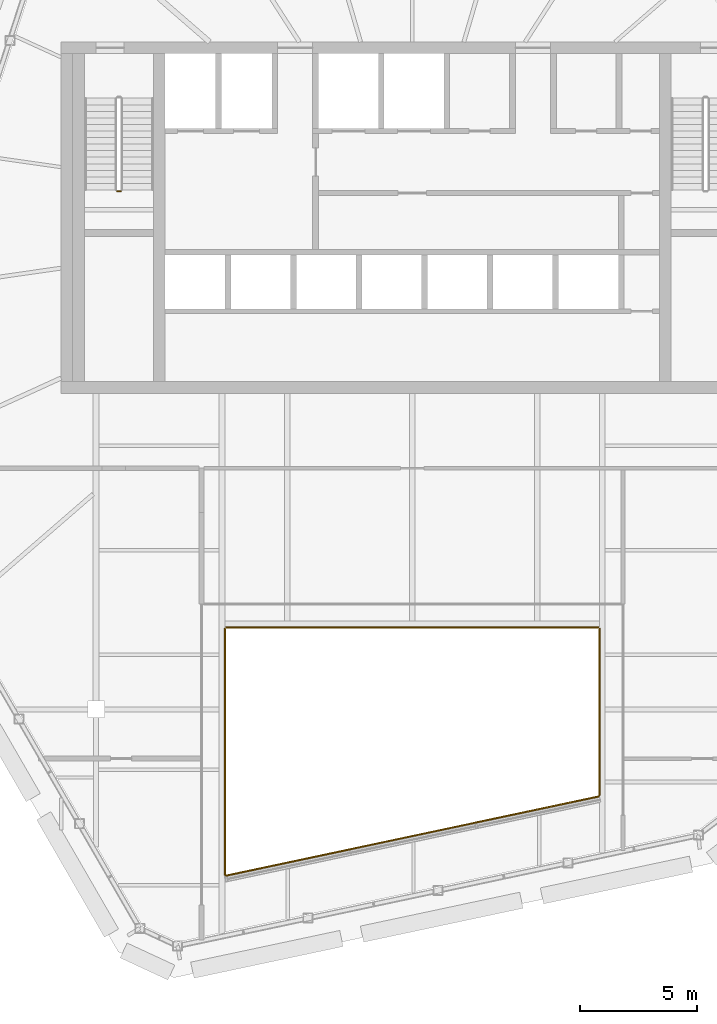
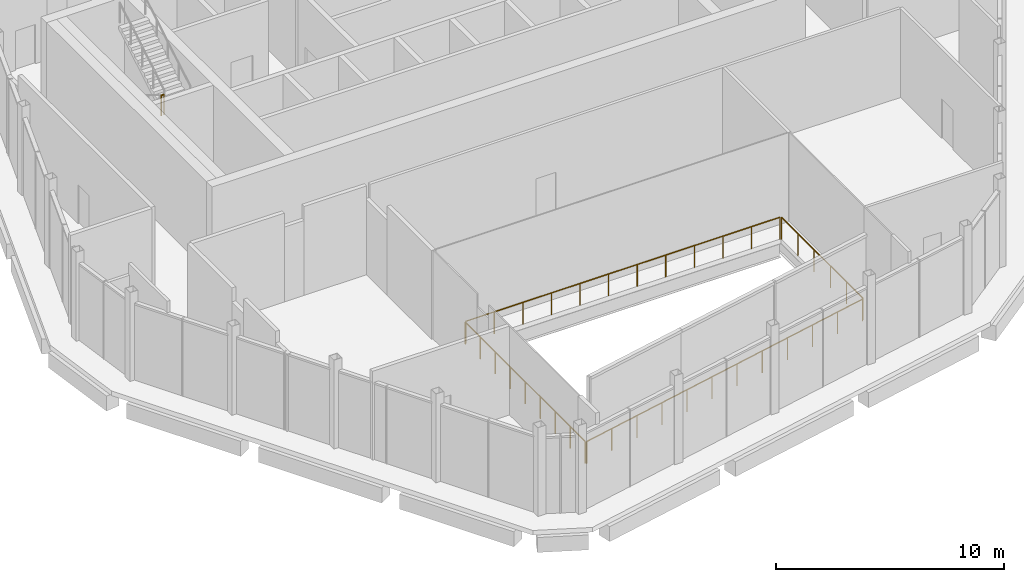
# One storey, part 11 of 12: 5 railings.
"""IFC4 building model written with IfcOpenShell, lengths in metres."""

from ifc_helpers import new_model, si_unit, direction, frame, origin, origin_2d, place, context, subcontext, project, spatial, circle, extrude, material, type_object, element, save


model = new_model("IFC4")

# Units and contexts
model_context = context("Model", 3, precision=1e-05, world=origin(), true_north=direction((0.0, 1.0)))
body_context = subcontext(model_context, "Body", "Model", "MODEL_VIEW")
ifc_project = project(units=[si_unit("LENGTHUNIT", "METRE"), si_unit("AREAUNIT", "SQUARE_METRE"), si_unit("VOLUMEUNIT", "CUBIC_METRE"), si_unit("PLANEANGLEUNIT", "RADIAN"), si_unit("MASSUNIT", "GRAM", prefix="KILO")], contexts=[model_context])

# Site, building, storey
site_placement = place(None, origin())
site = spatial("IfcSite", under=ifc_project, at=site_placement, CompositionType="ELEMENT")
building_placement = place(site_placement, origin())
building = spatial("IfcBuilding", under=site, at=building_placement, Name="Isthmus Gate Tower", CompositionType="ELEMENT")
storey_placement = place(building_placement, frame((0.0, 0.0, 301.10009765625)))
storey = spatial("IfcBuildingStorey", under=building, at=storey_placement, Name="C1", CompositionType="ELEMENT", Elevation=301.10009765625)

# Railings
ifc_material_1 = material(Name="Toughened laminated glass with stainless steel handrail", Category="steel")
railing_type_1 = type_object("IfcRailingType", Name="Atrium glass guard 1200", PredefinedType="GUARDRAIL", material=ifc_material_1)
railing_1_placement = place(storey_placement, frame((-7.951171875, -20.6005859375, 0.0)))
element("IfcRailing", 1, at=railing_1_placement, inside=storey, type_object=railing_type_1, Name="C1 atrium glass guard 1", PredefinedType="GUARDRAIL", context=body_context, shape_type="SweptSolid", body=[
    extrude(circle(Radius=0.030029296875, at=origin_2d()), frame((0.0, 0.0, 1.169921875), z_axis=(0.978150911752, 0.207896113091, 0.0), x_axis=(-0.207896113091, 0.978150911752, 0.0)), (0.0, 0.0, 1.0), 16.257568359375),
    extrude(circle(Radius=0.02490234375, at=origin_2d()), origin(), (0.0, 0.0, 1.0), 1.139892578125),
    extrude(circle(Radius=0.02490234375, at=origin_2d()), frame((1.445556640625, 0.307373046875, 0.0)), (0.0, 0.0, 1.0), 1.139892578125),
    extrude(circle(Radius=0.02490234375, at=origin_2d()), frame((2.891357421875, 0.614501953125, 0.0)), (0.0, 0.0, 1.0), 1.139892578125),
    extrude(circle(Radius=0.02490234375, at=origin_2d()), frame((4.3369140625, 0.921875, 0.0)), (0.0, 0.0, 1.0), 1.139892578125),
    extrude(circle(Radius=0.02490234375, at=origin_2d()), frame((5.78271484375, 1.22900390625, 0.0)), (0.0, 0.0, 1.0), 1.139892578125),
    extrude(circle(Radius=0.02490234375, at=origin_2d()), frame((7.228271484375, 1.536376953125, 0.0)), (0.0, 0.0, 1.0), 1.139892578125),
    extrude(circle(Radius=0.02490234375, at=origin_2d()), frame((8.674072265625, 1.843505859375, 0.0)), (0.0, 0.0, 1.0), 1.139892578125),
    extrude(circle(Radius=0.02490234375, at=origin_2d()), frame((10.11962890625, 2.15087890625, 0.0)), (0.0, 0.0, 1.0), 1.139892578125),
    extrude(circle(Radius=0.02490234375, at=origin_2d()), frame((11.5654296875, 2.4580078125, 0.0)), (0.0, 0.0, 1.0), 1.139892578125),
    extrude(circle(Radius=0.02490234375, at=origin_2d()), frame((13.010986328125, 2.765380859375, 0.0)), (0.0, 0.0, 1.0), 1.139892578125),
    extrude(circle(Radius=0.02490234375, at=origin_2d()), frame((14.456787109375, 3.072509765625, 0.0)), (0.0, 0.0, 1.0), 1.139892578125),
    extrude(circle(Radius=0.02490234375, at=origin_2d()), frame((15.90234375, 3.3798828125, 0.0)), (0.0, 0.0, 1.0), 1.139892578125),
])
railing_2_placement = place(storey_placement, frame((8.0, -17.16015625, 0.0)))
element("IfcRailing", 2, at=railing_2_placement, inside=storey, type_object=railing_type_1, Name="C1 atrium glass guard 2", PredefinedType="GUARDRAIL", context=body_context, shape_type="SweptSolid", body=[
    extrude(circle(Radius=0.030029296875, at=origin_2d()), frame((0.0, 0.0, 1.169921875), z_axis=(0.0, 1.0, 0.0), x_axis=(-1.0, 0.0, 0.0)), (0.0, 0.0, 1.0), 7.110107421875),
    extrude(circle(Radius=0.02490234375, at=origin_2d()), origin(), (0.0, 0.0, 1.0), 1.139892578125),
    extrude(circle(Radius=0.02490234375, at=origin_2d()), frame((0.0, 1.422119140625, 0.0)), (0.0, 0.0, 1.0), 1.139892578125),
    extrude(circle(Radius=0.02490234375, at=origin_2d()), frame((0.0, 2.843994140625, 0.0)), (0.0, 0.0, 1.0), 1.139892578125),
    extrude(circle(Radius=0.02490234375, at=origin_2d()), frame((0.0, 4.26611328125, 0.0)), (0.0, 0.0, 1.0), 1.139892578125),
    extrude(circle(Radius=0.02490234375, at=origin_2d()), frame((0.0, 5.68798828125, 0.0)), (0.0, 0.0, 1.0), 1.139892578125),
    extrude(circle(Radius=0.02490234375, at=origin_2d()), frame((0.0, 7.110107421875, 0.0)), (0.0, 0.0, 1.0), 1.139892578125),
])
railing_3_placement = place(storey_placement, frame((7.949951171875, -10.0, 0.0)))
element("IfcRailing", 3, at=railing_3_placement, inside=storey, type_object=railing_type_1, Name="C1 atrium glass guard 3", PredefinedType="GUARDRAIL", context=body_context, shape_type="SweptSolid", body=[
    extrude(circle(Radius=0.030029296875, at=origin_2d()), frame((0.0, 0.0, 1.169921875), z_axis=(-1.0, 0.0, 0.0), x_axis=(0.0, -1.0, 0.0)), (0.0, 0.0, 1.0), 15.89990234375),
    extrude(circle(Radius=0.02490234375, at=origin_2d()), origin(), (0.0, 0.0, 1.0), 1.139892578125),
    extrude(circle(Radius=0.02490234375, at=origin_2d()), frame((-1.445556640625, 0.0, 0.0)), (0.0, 0.0, 1.0), 1.139892578125),
    extrude(circle(Radius=0.02490234375, at=origin_2d()), frame((-2.890869140625, 0.0, 0.0)), (0.0, 0.0, 1.0), 1.139892578125),
    extrude(circle(Radius=0.02490234375, at=origin_2d()), frame((-4.33642578125, 0.0, 0.0)), (0.0, 0.0, 1.0), 1.139892578125),
    extrude(circle(Radius=0.02490234375, at=origin_2d()), frame((-5.78173828125, 0.0, 0.0)), (0.0, 0.0, 1.0), 1.139892578125),
    extrude(circle(Radius=0.02490234375, at=origin_2d()), frame((-7.227294921875, 0.0, 0.0)), (0.0, 0.0, 1.0), 1.139892578125),
    extrude(circle(Radius=0.02490234375, at=origin_2d()), frame((-8.672607421875, 0.0, 0.0)), (0.0, 0.0, 1.0), 1.139892578125),
    extrude(circle(Radius=0.02490234375, at=origin_2d()), frame((-10.1181640625, 0.0, 0.0)), (0.0, 0.0, 1.0), 1.139892578125),
    extrude(circle(Radius=0.02490234375, at=origin_2d()), frame((-11.5634765625, 0.0, 0.0)), (0.0, 0.0, 1.0), 1.139892578125),
    extrude(circle(Radius=0.02490234375, at=origin_2d()), frame((-13.009033203125, 0.0, 0.0)), (0.0, 0.0, 1.0), 1.139892578125),
    extrude(circle(Radius=0.02490234375, at=origin_2d()), frame((-14.454345703125, 0.0, 0.0)), (0.0, 0.0, 1.0), 1.139892578125),
    extrude(circle(Radius=0.02490234375, at=origin_2d()), frame((-15.89990234375, 0.0, 0.0)), (0.0, 0.0, 1.0), 1.139892578125),
])
railing_4_placement = place(storey_placement, frame((-8.0, -10.050048828125, 0.0)))
element("IfcRailing", 4, at=railing_4_placement, inside=storey, type_object=railing_type_1, Name="C1 atrium glass guard 4", PredefinedType="GUARDRAIL", context=body_context, shape_type="SweptSolid", body=[
    extrude(circle(Radius=0.030029296875, at=origin_2d()), frame((0.0, 0.0, 1.169921875), z_axis=(0.0, -1.0, 0.0), x_axis=(1.0, 0.0, 0.0)), (0.0, 0.0, 1.0), 10.510986328125),
    extrude(circle(Radius=0.02490234375, at=origin_2d()), origin(), (0.0, 0.0, 1.0), 1.139892578125),
    extrude(circle(Radius=0.02490234375, at=origin_2d()), frame((0.0, -1.31396484375, 0.0)), (0.0, 0.0, 1.0), 1.139892578125),
    extrude(circle(Radius=0.02490234375, at=origin_2d()), frame((0.0, -2.627685546875, 0.0)), (0.0, 0.0, 1.0), 1.139892578125),
    extrude(circle(Radius=0.02490234375, at=origin_2d()), frame((0.0, -3.941650390625, 0.0)), (0.0, 0.0, 1.0), 1.139892578125),
    extrude(circle(Radius=0.02490234375, at=origin_2d()), frame((0.0, -5.25537109375, 0.0)), (0.0, 0.0, 1.0), 1.139892578125),
    extrude(circle(Radius=0.02490234375, at=origin_2d()), frame((0.0, -6.5693359375, 0.0)), (0.0, 0.0, 1.0), 1.139892578125),
    extrude(circle(Radius=0.02490234375, at=origin_2d()), frame((0.0, -7.88330078125, 0.0)), (0.0, 0.0, 1.0), 1.139892578125),
    extrude(circle(Radius=0.02490234375, at=origin_2d()), frame((0.0, -9.197021484375, 0.0)), (0.0, 0.0, 1.0), 1.139892578125),
    extrude(circle(Radius=0.02490234375, at=origin_2d()), frame((0.0, -10.510986328125, 0.0)), (0.0, 0.0, 1.0), 1.139892578125),
])
ifc_material_2 = material(Name="Stainless steel balustrade", Category="steel")
railing_type_2 = type_object("IfcRailingType", Name="STAIR GUARD 1100", PredefinedType="GUARDRAIL", material=ifc_material_2)
railing_5_placement = place(storey_placement, frame((-12.60009765625, 8.6298828125, 2.5)))
element("IfcRailing", 5, at=railing_5_placement, inside=storey, type_object=railing_type_2, Name="C1 ST1 stair guard 2", PredefinedType="GUARDRAIL", context=body_context, shape_type="SweptSolid", body=[
    extrude(circle(Radius=0.02392578125, at=origin_2d()), frame((0.0, 0.0, 1.076171875), z_axis=(1.0, 0.0, 0.0), x_axis=(0.0, 1.0, 0.0)), (0.0, 0.0, 1.0), 0.150146484375),
    extrude(circle(Radius=0.02099609375, at=origin_2d()), origin(), (0.0, 0.0, 1.0), 1.052001953125),
    extrude(circle(Radius=0.02099609375, at=origin_2d()), frame((0.150146484375, 0.0, 0.0)), (0.0, 0.0, 1.0), 1.052001953125),
])

save(model, "model.ifc")
